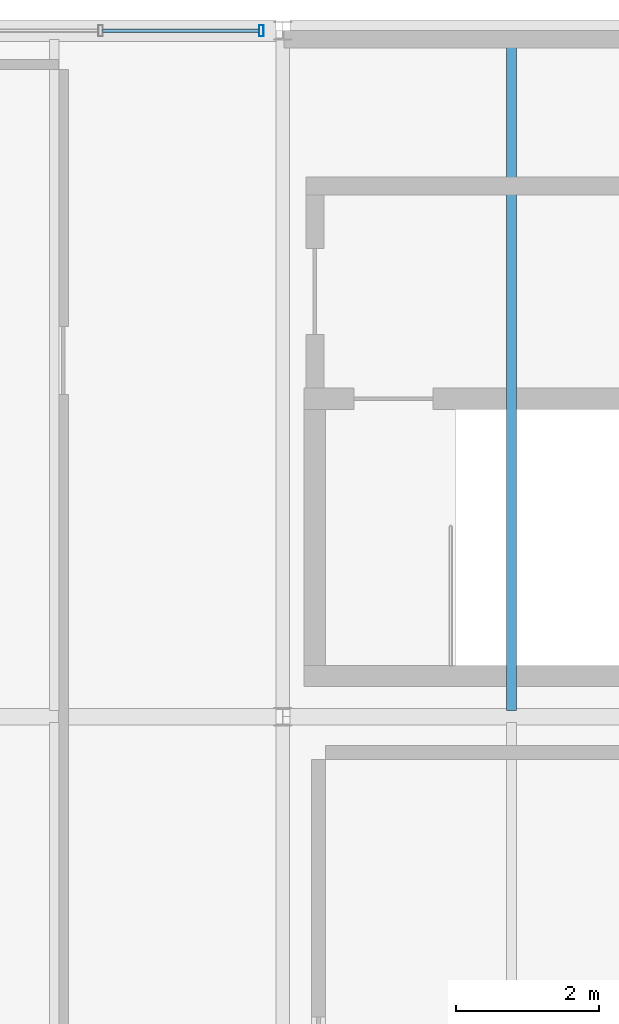
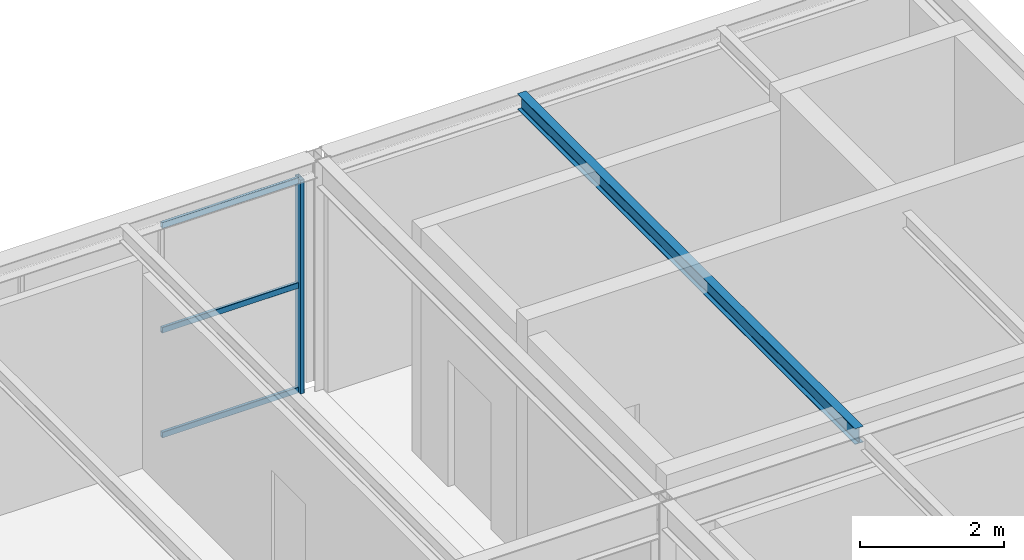
# One storey, part 27 of 33: 4 members, 1 beam, 1 element without a shape of its own.
"""IFC4 building model written with IfcOpenShell, lengths in metres."""

import ifcopenshell
import ifcopenshell.guid

model = None  # the IFC model being written
_history = None  # IfcOwnerHistory: only IFC2X3 demands one
_inside = {}  # id of a spatial element -> (the spatial element, [elements in it])
_under = {}  # id of a project, library or spatial element -> (it, [spatial elements below it])
_declared = {}  # id of a project -> (the project, [libraries it declares])
_typed = {}  # id of a type object -> (the type object, [elements of that type])
_made_of = {}  # id of a material, layer set ... -> (it, [elements and type objects made of it])


def new_model(schema):
    """Start an empty IFC model of exactly this schema.

    Asked for "IFC4X3", IfcOpenShell would pick the latest addendum, in which some entities
    have other attributes; the version numbers below select the first issue.
    IFC2X3 requires an IfcOwnerHistory on every rooted entity: one is made here for all.
    """
    global model, _history
    if schema == "IFC4X3":
        model = ifcopenshell.file(schema_version=(4, 3, 0, 0))
    else:
        model = ifcopenshell.file(schema=schema)
    _inside.clear()
    _under.clear()
    _declared.clear()
    _typed.clear()
    _made_of.clear()
    _history = None
    if model.schema == "IFC2X3":
        org = make("IfcOrganization", Name="unknown")
        user = make(
            "IfcPersonAndOrganization",
            ThePerson=make("IfcPerson", FamilyName="unknown"),
            TheOrganization=org,
        )
        app = make(
            "IfcApplication",
            ApplicationDeveloper=org,
            Version="unknown",
            ApplicationFullName="unknown",
            ApplicationIdentifier="unknown",
        )
        _history = make(
            "IfcOwnerHistory",
            OwningUser=user,
            OwningApplication=app,
            ChangeAction="ADDED",
            CreationDate=0,
        )
    return model


def make(cls, **values):
    """One entity of the class cls with the attributes given. An attribute that is None is left unset."""
    return model.create_entity(
        cls, **{name: value for name, value in values.items() if value is not None}
    )


def rooted(cls, **values):
    """An entity with a GlobalId (a new one), such as an element, a storey or a relation."""
    return make(cls, GlobalId=ifcopenshell.guid.new(), OwnerHistory=_history, **values)


def si_unit(unit_type, name, prefix=None):
    """IfcSIUnit, for example si_unit("LENGTHUNIT", "METRE", prefix="MILLI")."""
    return make("IfcSIUnit", UnitType=unit_type, Prefix=prefix, Name=name)


def assignment(units):
    """IfcUnitAssignment: the units of a project."""
    return None if units is None else make("IfcUnitAssignment", Units=units)


def point(xyz):
    """IfcCartesianPoint."""
    return None if xyz is None else make("IfcCartesianPoint", Coordinates=xyz)


def direction(xyz):
    """IfcDirection."""
    return None if xyz is None else make("IfcDirection", DirectionRatios=xyz)


def frame(location, z_axis=None, x_axis=None):
    """IfcAxis2Placement3D, a coordinate frame: its origin and axes. An axis left out is left unset."""
    return make(
        "IfcAxis2Placement3D",
        Location=point(location),
        Axis=direction(z_axis),
        RefDirection=direction(x_axis),
    )


def frame_2d(location, x_axis=None):
    """IfcAxis2Placement2D, a coordinate frame in the plane: its origin and x axis."""
    return make(
        "IfcAxis2Placement2D", Location=point(location), RefDirection=direction(x_axis)
    )


def origin():
    """The frame at (0, 0, 0) with its axes left unset."""
    return frame((0.0, 0.0, 0.0))


def origin_2d():
    """The frame at (0, 0) in the plane with its x axis left unset."""
    return frame_2d((0.0, 0.0))


def place(relative_to, where):
    """IfcLocalPlacement: puts the frame where relative to a parent placement (None: the world)."""
    return make(
        "IfcLocalPlacement", PlacementRelTo=relative_to, RelativePlacement=where
    )


def context(
    kind, dimensions, precision=None, world=None, true_north=None, identifier=None
):
    """IfcGeometricRepresentationContext, for example the 3D "Model" context."""
    return make(
        "IfcGeometricRepresentationContext",
        ContextIdentifier=identifier,
        ContextType=kind,
        CoordinateSpaceDimension=dimensions,
        Precision=precision,
        WorldCoordinateSystem=world,
        TrueNorth=true_north,
    )


def subcontext(parent, identifier, kind, view, scale=None):
    """IfcGeometricRepresentationSubContext, for example "Body" below "Model"."""
    return make(
        "IfcGeometricRepresentationSubContext",
        ContextIdentifier=identifier,
        ContextType=kind,
        ParentContext=parent,
        TargetScale=scale,
        TargetView=view,
    )


def project(units=None, contexts=None):
    """IfcProject with its units and contexts."""
    return rooted(
        "IfcProject",
        Name="project",
        RepresentationContexts=contexts,
        UnitsInContext=assignment(units),
    )


def spatial(cls, under=None, at=None, **own):
    """A site, building, storey or space (cls), placed at a placement, below another one or the project."""
    s = rooted(cls, ObjectPlacement=at, **own)
    if under is not None:
        _under.setdefault(under.id(), (under, []))[1].append(s)
    return s


def profile(cls, at=None, kind="AREA", **sizes):
    """A parametric profile (cls). Its sizes go by their IFC names, for example OverallWidth=200.0."""
    return make(cls, ProfileType=kind, Position=at, **sizes)


def hollow_rectangle(**sizes):
    """IfcRectangleHollowProfileDef."""
    return profile("IfcRectangleHollowProfileDef", **sizes)


def i_section(**sizes):
    """IfcIShapeProfileDef."""
    return profile("IfcIShapeProfileDef", **sizes)


def extrude(swept, where, along, depth):
    """IfcExtrudedAreaSolid: the profile swept, set in the frame where, extruded along a direction by depth."""
    return make(
        "IfcExtrudedAreaSolid",
        SweptArea=swept,
        Position=where,
        ExtrudedDirection=direction(along),
        Depth=depth,
    )


def shape(context_of_items, identifier, shape_type, items):
    """IfcShapeRepresentation: the items that make up one representation, for example the "Body"."""
    return make(
        "IfcShapeRepresentation",
        ContextOfItems=context_of_items,
        RepresentationIdentifier=identifier,
        RepresentationType=shape_type,
        Items=items,
    )


def material(Name=None, Category=None):
    """IfcMaterial."""
    return make("IfcMaterial", Name=Name, Category=Category)


def material_profile(
    of_material, cross_section, Name=None, Category=None, Priority=None
):
    """IfcMaterialProfile: a cross section and its material."""
    return make(
        "IfcMaterialProfile",
        Name=Name,
        Material=of_material,
        Profile=cross_section,
        Priority=Priority,
        Category=Category,
    )


def profile_set(profiles, Name=None, composite=None):
    """IfcMaterialProfileSet."""
    return make(
        "IfcMaterialProfileSet",
        Name=Name,
        MaterialProfiles=profiles,
        CompositeProfile=composite,
    )


def made_of(thing, what):
    """Note that an element or type object is made of a material, layer set ...; save() writes the relation."""
    if what is not None:
        _made_of.setdefault(what.id(), (what, []))[1].append(thing)
    return thing


def type_object(cls, material=None, **own):
    """A type object (cls), such as IfcWallType, which elements share."""
    return made_of(rooted(cls, **own), material)


def element(
    cls,
    number,
    at=None,
    inside=None,
    cuts=None,
    type_object=None,
    material=None,
    context=None,
    identifier="Body",
    shape_type=None,
    held_by="IfcProductDefinitionShape",
    body=None,
    shapes=None,
    **own,
):
    """One element of the class cls, such as IfcWall. Its Tag is "e" and its number.

    at: its placement. inside: the storey or other place that contains it. cuts: it is an
    opening in that element (IfcRelVoidsElement). A single representation is given by context,
    identifier, shape_type and body (its items); several are given by shapes. held_by: the class
    of the entity that holds the representations. save() writes the other relations.
    """
    e = rooted(cls, Tag="e%d" % number, ObjectPlacement=at, **own)
    if body is not None:
        shapes = [shape(context, identifier, shape_type, body)]
    if shapes is not None:
        e.Representation = make(held_by, Representations=shapes)
    if inside is not None:
        _inside.setdefault(inside.id(), (inside, []))[1].append(e)
    if cuts is not None:
        rooted(
            "IfcRelVoidsElement", RelatingBuildingElement=cuts, RelatedOpeningElement=e
        )
    if type_object is not None:
        _typed.setdefault(type_object.id(), (type_object, []))[1].append(e)
    return made_of(e, material)


def aggregate(whole, parts):
    """IfcRelAggregates: a whole, such as a stair, and the parts it consists of."""
    return rooted("IfcRelAggregates", RelatingObject=whole, RelatedObjects=parts)


def save(model, path):
    """Write the relations noted so far, then the file.

    IfcRelAggregates (storeys below a building ...), IfcRelContainedInSpatialStructure (elements
    in a storey), IfcRelDefinesByType, IfcRelAssociatesMaterial and IfcRelDeclares: one each for
    every whole, place, type object, material and project.
    """
    for whole, parts in _under.values():
        aggregate(whole, parts)
    for where, things in _inside.values():
        rooted(
            "IfcRelContainedInSpatialStructure",
            RelatedElements=things,
            RelatingStructure=where,
        )
    for kind, things in _typed.values():
        rooted("IfcRelDefinesByType", RelatedObjects=things, RelatingType=kind)
    for what, things in _made_of.values():
        rooted("IfcRelAssociatesMaterial", RelatedObjects=things, RelatingMaterial=what)
    for by, libraries in _declared.values():
        rooted("IfcRelDeclares", RelatingContext=by, RelatedDefinitions=libraries)
    model.write(path)


model = new_model("IFC4")

# Units and contexts
model_context = context("Model", 3, precision=1e-05, world=origin(), true_north=direction((0.0, 1.0)))
body_context = subcontext(model_context, "Body", "Model", "MODEL_VIEW")
ifc_project = project(units=[si_unit("LENGTHUNIT", "METRE"), si_unit("AREAUNIT", "SQUARE_METRE"), si_unit("VOLUMEUNIT", "CUBIC_METRE"), si_unit("PLANEANGLEUNIT", "RADIAN"), si_unit("MASSUNIT", "GRAM", prefix="KILO")], contexts=[model_context])

# Site, building, storey
site_placement = place(None, origin())
site = spatial("IfcSite", under=ifc_project, at=site_placement, CompositionType="ELEMENT")
building_placement = place(site_placement, origin())
building = spatial("IfcBuilding", under=site, at=building_placement, Name="Coralgate Yard Interchange", CompositionType="ELEMENT")
storey_placement = place(building_placement, frame((0.0, 0.0, 23.10009765625)))
storey = spatial("IfcBuildingStorey", under=building, at=storey_placement, Name="L05", CompositionType="ELEMENT", Elevation=23.10009765625)

# Beam
ifc_material_1 = material(Name="Structural steel S355J2", Category="steel")
ifc_material_profile_1 = material_profile(ifc_material_1, i_section(OverallWidth=0.135009765625, OverallDepth=0.27001953125, WebThickness=0.006591796875, FlangeThickness=0.01025390625, FilletRadius=0.014892578125, at=origin_2d()), Name="IPE 270")
ifc_profile_set_1 = profile_set([ifc_material_profile_1], Name="Structural steel S355J2")
beam_type = type_object("IfcBeamType", Name="BM-SJ-3", PredefinedType="JOIST", material=ifc_profile_set_1)
beam_placement = place(storey_placement, frame((12.800048828125, 28.884033203125, 3.784912109375), z_axis=(0.0, 1.0, 0.0), x_axis=(-1.0, 0.0, 0.0)))
element("IfcBeam", 1, at=beam_placement, inside=storey, type_object=beam_type, Name="L05 composite floor joist 1-3-1", PredefinedType="JOIST", context=body_context, shape_type="SweptSolid", body=[
    extrude(i_section(OverallWidth=0.135009765625, OverallDepth=0.27001953125, WebThickness=0.006591796875, FlangeThickness=0.01025390625, FilletRadius=0.014892578125, at=origin_2d()), origin(), (0.0, 0.0, 1.0), 9.39599609375),
])

# Curtain wall, members
ifc_material_2 = material(Name="Anodised coastal aluminium and solar-control low-E glass", Category="aluminium")
curtain_wall_type = type_object("IfcCurtainWallType", Name="CW-CW-L05-A", PredefinedType="NOTDEFINED", material=ifc_material_2)
curtain_wall_placement = place(storey_placement, origin())
curtain_wall = element("IfcCurtainWall", 2, at=curtain_wall_placement, inside=storey, type_object=curtain_wall_type, Name="L05 unitised curtain wall CW-L05-N-00-03", PredefinedType="NOTDEFINED")
ifc_material_3 = material(Name="Anodised coastal aluminium 6063-T6", Category="aluminium")
ifc_material_profile_2 = material_profile(ifc_material_3, hollow_rectangle(XDim=0.06494140625, YDim=0.159912109375, WallThickness=0.00390625, InnerFilletRadius=0.00390625, OuterFilletRadius=0.008056640625, at=origin_2d()), Name="ALU 65x160x4")
ifc_profile_set_2 = profile_set([ifc_material_profile_2], Name="Anodised coastal aluminium 6063-T6")
member_type_1 = type_object("IfcMemberType", Name="MB-MUL-160", PredefinedType="MULLION", material=ifc_profile_set_2)
member_1_placement = place(storey_placement, frame((9.300048828125, 38.39990234375, 0.0), z_axis=(0.0, 0.0, 1.0), x_axis=(1.0, 0.0, 0.0)))
member_1 = element("IfcMember", 3, at=member_1_placement, type_object=member_type_1, Name="CW-L05-N-00-03 vertical mullion 5", PredefinedType="MULLION", context=body_context, shape_type="SweptSolid", body=[
    extrude(hollow_rectangle(XDim=0.06494140625, YDim=0.159912109375, WallThickness=0.00390625, InnerFilletRadius=0.00390625, OuterFilletRadius=0.008056640625, at=origin_2d()), origin(), (0.0, 0.0, 1.0), 3.6298828125),
])
ifc_material_profile_3 = material_profile(ifc_material_3, hollow_rectangle(XDim=0.050048828125, YDim=0.10009765625, WallThickness=0.0029296875, InnerFilletRadius=0.0029296875, OuterFilletRadius=0.006103515625, at=origin_2d()), Name="ALU 50x100x3")
ifc_profile_set_3 = profile_set([ifc_material_profile_3], Name="Anodised coastal aluminium 6063-T6")
member_type_2 = type_object("IfcMemberType", Name="MB-TRN-100", PredefinedType="USERDEFINED", material=ifc_profile_set_3)
member_2_placement = place(storey_placement, frame((7.080078125, 38.39990234375, 0.034912109375), z_axis=(1.0, 0.0, 0.0), x_axis=(0.0, 1.0, 0.0)))
member_2 = element("IfcMember", 4, at=member_2_placement, type_object=member_type_2, Name="CW-L05-N-00-03 horizontal transom 4-1", ObjectType="TRANSOM", PredefinedType="USERDEFINED", context=body_context, shape_type="SweptSolid", body=[
    extrude(hollow_rectangle(XDim=0.050048828125, YDim=0.10009765625, WallThickness=0.0029296875, InnerFilletRadius=0.0029296875, OuterFilletRadius=0.006103515625, at=origin_2d()), origin(), (0.0, 0.0, 1.0), 2.18994140625),
])
member_3_placement = place(storey_placement, frame((7.080078125, 38.39990234375, 1.81494140625), z_axis=(1.0, 0.0, 0.0), x_axis=(0.0, 1.0, 0.0)))
member_3 = element("IfcMember", 5, at=member_3_placement, type_object=member_type_2, Name="CW-L05-N-00-03 horizontal transom 4-2", ObjectType="TRANSOM", PredefinedType="USERDEFINED", context=body_context, shape_type="SweptSolid", body=[
    extrude(hollow_rectangle(XDim=0.050048828125, YDim=0.10009765625, WallThickness=0.0029296875, InnerFilletRadius=0.0029296875, OuterFilletRadius=0.006103515625, at=origin_2d()), origin(), (0.0, 0.0, 1.0), 2.18994140625),
])
member_4_placement = place(storey_placement, frame((7.080078125, 38.39990234375, 3.594970703125), z_axis=(1.0, 0.0, 0.0), x_axis=(0.0, 1.0, 0.0)))
member_4 = element("IfcMember", 6, at=member_4_placement, type_object=member_type_2, Name="CW-L05-N-00-03 horizontal transom 4-3", ObjectType="TRANSOM", PredefinedType="USERDEFINED", context=body_context, shape_type="SweptSolid", body=[
    extrude(hollow_rectangle(XDim=0.050048828125, YDim=0.10009765625, WallThickness=0.0029296875, InnerFilletRadius=0.0029296875, OuterFilletRadius=0.006103515625, at=origin_2d()), origin(), (0.0, 0.0, 1.0), 2.18994140625),
])
aggregate(curtain_wall, [member_1, member_2, member_3, member_4])

save(model, "model.ifc")
